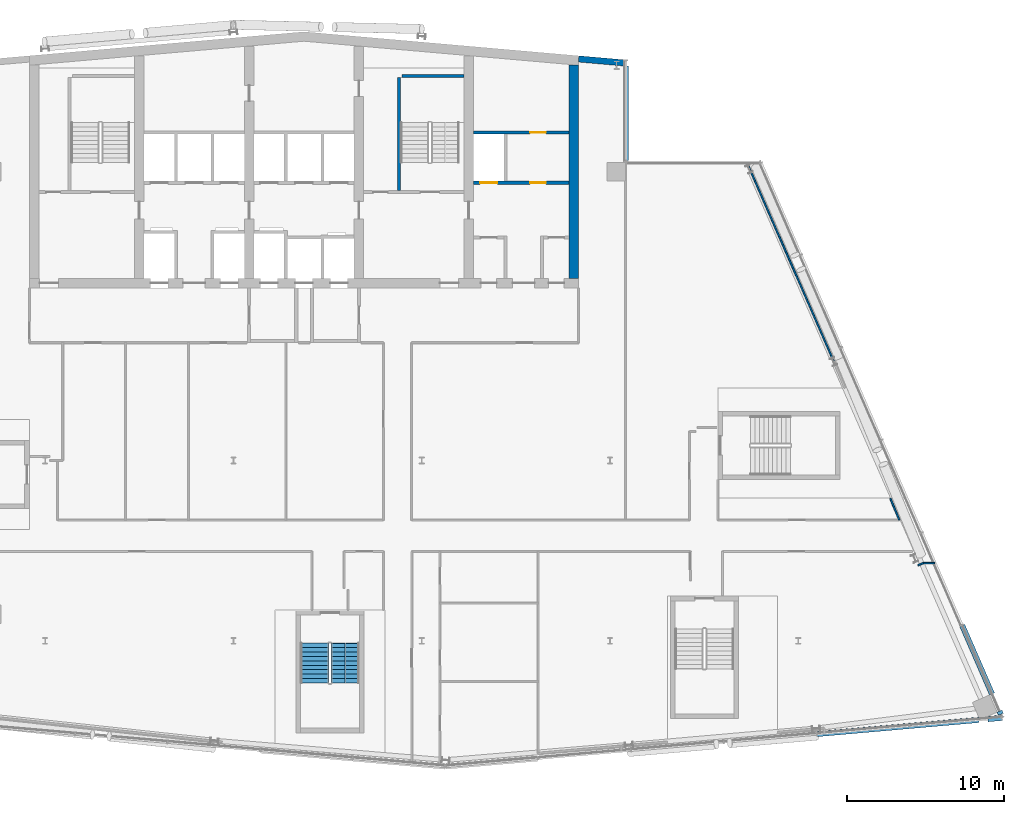
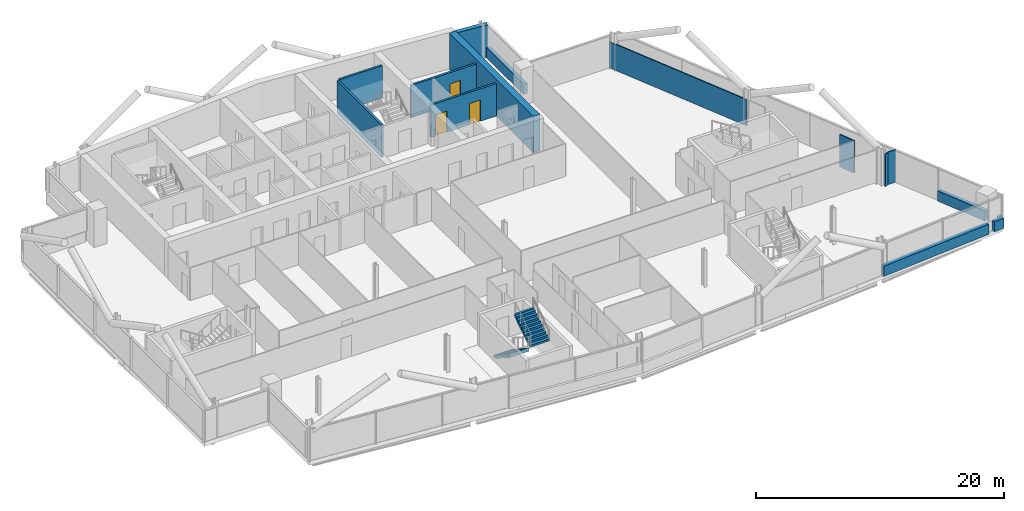
# One storey, part 19 of 27: 15 walls, 3 doors, 2 stair flights, 3 openings, 1 element without a shape of its own.
"""IFC4 building model written with IfcOpenShell, lengths in metres."""

from ifc_helpers import new_model, si_unit, direction, frame, frame_2d, origin, place, context, subcontext, project, spatial, polyline, rectangle, outline, extrude, material, layer, layer_set, type_object, element, fill, aggregate, save


model = new_model("IFC4")

# Units and contexts
model_context = context("Model", 3, precision=1e-05, world=origin(), true_north=direction((0.0, 1.0)))
body_context = subcontext(model_context, "Body", "Model", "MODEL_VIEW")
ifc_project = project(units=[si_unit("LENGTHUNIT", "METRE"), si_unit("AREAUNIT", "SQUARE_METRE"), si_unit("VOLUMEUNIT", "CUBIC_METRE"), si_unit("PLANEANGLEUNIT", "RADIAN"), si_unit("MASSUNIT", "GRAM", prefix="KILO")], contexts=[model_context])

# Site, building, storey
site_placement = place(None, origin())
site = spatial("IfcSite", under=ifc_project, at=site_placement, CompositionType="ELEMENT")
building_placement = place(site_placement, origin())
building = spatial("IfcBuilding", under=site, at=building_placement, Name="Wharfspan Tower", CompositionType="ELEMENT")
storey_placement = place(building_placement, frame((0.0, 0.0, 210.699951)))
storey = spatial("IfcBuildingStorey", under=building, at=storey_placement, Name="L52", CompositionType="ELEMENT", Elevation=210.699951)

# Walls
ifc_material_1 = material(Name="Gypsum board on steel studs", Category="steel")
ifc_layer_1 = layer(ifc_material_1, 0.100098)
ifc_layer_set_1 = layer_set([ifc_layer_1], Name="Gypsum board on steel studs")
wall_type_1 = type_object("IfcWallType", Name="Compartment wall 100 EI 60", PredefinedType="PARTITIONING", material=ifc_layer_set_1)
wall_1_placement = place(storey_placement, frame((78.439941, 19.199951, 0.0), z_axis=(0.0, 0.0, 1.0), x_axis=(-0.382605, 0.923907, 0.0)))
element("IfcWall", 1, at=wall_1_placement, inside=storey, type_object=wall_type_1, Name="Partition L52.w049", PredefinedType="PARTITIONING", context=body_context, shape_type="SweptSolid", body=[
    extrude(rectangle(XDim=1.493896, YDim=0.100098, at=frame_2d((0.74707, 0.0))), origin(), (0.0, 0.0, 1.0), 3.199951),
])
ifc_material_2 = material(Name="Concrete C50/60", Category="concrete")
ifc_layer_2 = layer(ifc_material_2, 0.600098)
ifc_layer_set_2 = layer_set([ifc_layer_2], Name="Concrete C50/60")
wall_type_2 = type_object("IfcWallType", Name="Core wall 600 C50/60", PredefinedType="SHEAR", material=ifc_layer_set_2)
wall_2_placement = place(storey_placement, frame((57.699951, 34.600098, 0.0), z_axis=(0.0, 0.0, 1.0), x_axis=(0.0, 1.0, 0.0)))
element("IfcWall", 2, at=wall_2_placement, inside=storey, type_object=wall_type_2, Name="Core cross wall EW1 L52", PredefinedType="SHEAR", context=body_context, shape_type="SweptSolid", body=[
    extrude(rectangle(XDim=13.584961, YDim=0.600098, at=frame_2d((6.79248, 0.0))), origin(), (0.0, 0.0, 1.0), 3.600098),
])

# Wall, openings, doors
ifc_material_3 = material(Name="Concrete C30/37", Category="concrete")
ifc_layer_3 = layer(ifc_material_3, 0.199951)
ifc_layer_set_3 = layer_set([ifc_layer_3], Name="Concrete C30/37")
wall_type_3 = type_object("IfcWallType", Name="Lift shaft wall 200", PredefinedType="PARTITIONING", material=ifc_layer_set_3)
wall_3_placement = place(storey_placement, frame((51.300049, 40.699951, 0.0), z_axis=(0.0, 0.0, 1.0), x_axis=(1.0, 0.0, 0.0)))
wall_3 = element("IfcWall", 3, at=wall_3_placement, inside=storey, type_object=wall_type_3, Name="sw:L52:RF6", PredefinedType="PARTITIONING", context=body_context, shape_type="SweptSolid", body=[
    extrude(rectangle(XDim=6.099854, YDim=0.199951, at=frame_2d((3.049805, 0.0))), origin(), (0.0, 0.0, 1.0), 3.199951),
])
opening_1_placement = place(wall_3_placement, frame((0.416748, 0.0, 0.0)))
opening_1 = element("IfcOpeningElement", 4, at=opening_1_placement, cuts=wall_3, Name="Opening LD.LB8.L52", PredefinedType="OPENING", context=body_context, shape_type="SweptSolid", body=[
    extrude(rectangle(XDim=1.100098, YDim=2.100098, at=frame_2d((0.550049, 1.050049))), frame((0.0, 0.109863, 0.0), z_axis=(0.0, -1.0, 0.0), x_axis=(1.0, 0.0, 0.0)), (0.0, 0.0, 1.0), 0.219971),
])
opening_2_placement = place(wall_3_placement, frame((3.616699, 0.0, 0.0)))
opening_2 = element("IfcOpeningElement", 5, at=opening_2_placement, cuts=wall_3, Name="Opening CD52.6R2", PredefinedType="OPENING", context=body_context, shape_type="SweptSolid", body=[
    extrude(rectangle(XDim=1.0, YDim=2.100098, at=frame_2d((0.5, 1.050049))), frame((0.0, 0.109863, 0.0), z_axis=(0.0, -1.0, 0.0), x_axis=(1.0, 0.0, 0.0)), (0.0, 0.0, 1.0), 0.219971),
])
ifc_material_4 = material(Name="Steel door leaf", Category="steel")
door_type_1 = type_object("IfcDoorType", Name="Core room door 1000x2100", OperationType="SINGLE_SWING_LEFT", PredefinedType="DOOR", material=ifc_material_4)
door_1_placement = place(opening_2_placement, origin())
door_1 = element("IfcDoor", 6, at=door_1_placement, inside=storey, type_object=door_type_1, Name="d:L52:6:rd6.2", OperationType="SINGLE_SWING_RIGHT", OverallHeight=2.100098, OverallWidth=1.0, PredefinedType="DOOR", context=body_context, shape_type="SweptSolid", body=[
    extrude(rectangle(XDim=1.0, YDim=2.100098, at=frame_2d((0.5, 1.050049))), frame((0.0, 0.024902, 0.0), z_axis=(0.0, -1.0, 0.0), x_axis=(1.0, 0.0, 0.0)), (0.0, 0.0, 1.0), 0.050049),
])
fill(opening_2, door_1)
ifc_material_5 = material(Name="Stainless steel", Category="steel")
door_type_2 = type_object("IfcDoorType", Name="Lift landing door 1100x2100", OperationType="DOUBLE_DOOR_SLIDING", PredefinedType="DOOR", material=ifc_material_5)
door_2_placement = place(opening_1_placement, origin())
door_2 = element("IfcDoor", 7, at=door_2_placement, inside=storey, type_object=door_type_2, Name="Landing door LB8 L52", OperationType="DOUBLE_DOOR_SLIDING", OverallHeight=2.100098, OverallWidth=1.100098, PredefinedType="DOOR", context=body_context, shape_type="SweptSolid", body=[
    extrude(rectangle(XDim=1.100098, YDim=2.100098, at=frame_2d((0.550049, 1.050049))), frame((0.0, 0.024902, 0.0), z_axis=(0.0, -1.0, 0.0), x_axis=(1.0, 0.0, 0.0)), (0.0, 0.0, 1.0), 0.050049),
])
fill(opening_1, door_2)

# Wall, opening, door
wall_4_placement = place(storey_placement, frame((51.300049, 43.899902, 0.0), z_axis=(0.0, 0.0, 1.0), x_axis=(1.0, 0.0, 0.0)))
wall_4 = element("IfcWall", 8, at=wall_4_placement, inside=storey, type_object=wall_type_3, Name="sw:L52:RR6", PredefinedType="PARTITIONING", context=body_context, shape_type="SweptSolid", body=[
    extrude(rectangle(XDim=6.099854, YDim=0.199951, at=frame_2d((3.049805, 0.0))), origin(), (0.0, 0.0, 1.0), 3.199951),
])
opening_3_placement = place(wall_4_placement, frame((3.616699, 0.0, 0.0)))
opening_3 = element("IfcOpeningElement", 9, at=opening_3_placement, cuts=wall_4, Name="Opening CD52.6S2", PredefinedType="OPENING", context=body_context, shape_type="SweptSolid", body=[
    extrude(rectangle(XDim=1.0, YDim=2.100098, at=frame_2d((0.5, 1.050049))), frame((0.0, 0.109863, 0.0), z_axis=(0.0, -1.0, 0.0), x_axis=(1.0, 0.0, 0.0)), (0.0, 0.0, 1.0), 0.219971),
])
door_3_placement = place(opening_3_placement, origin())
door_3 = element("IfcDoor", 10, at=door_3_placement, inside=storey, type_object=door_type_1, Name="d:L52:6:rs6.2", OperationType="SINGLE_SWING_LEFT", OverallHeight=2.100098, OverallWidth=1.0, PredefinedType="DOOR", context=body_context, shape_type="SweptSolid", body=[
    extrude(rectangle(XDim=1.0, YDim=2.100098, at=frame_2d((0.5, 1.050049))), frame((0.0, 0.024902, 0.0), z_axis=(0.0, -1.0, 0.0), x_axis=(1.0, 0.0, 0.0)), (0.0, 0.0, 1.0), 0.050049),
])
fill(opening_3, door_3)

# Walls
ifc_layer_4 = layer(ifc_material_1, 0.100098)
ifc_layer_set_4 = layer_set([ifc_layer_4], Name="Gypsum board on steel studs")
wall_type_4 = type_object("IfcWallType", Name="Partition 100", PredefinedType="PARTITIONING", material=ifc_layer_set_4)
wall_5_placement = place(storey_placement, frame((74.264893, 29.310059, 0.0), z_axis=(0.0, 0.0, 1.0), x_axis=(-0.400401, 0.916335, 0.0)))
element("IfcWall", 11, at=wall_5_placement, inside=storey, type_object=wall_type_4, Name="Partition L52.w047", PredefinedType="PARTITIONING", context=body_context, shape_type="SweptSolid", body=[
    extrude(rectangle(XDim=13.794678, YDim=0.100098, at=frame_2d((6.897461, 0.0))), origin(), (0.0, 0.0, 1.0), 2.580078),
])
wall_6_placement = place(storey_placement, frame((79.629883, 16.314941, 0.0), z_axis=(0.0, 0.0, 1.0), x_axis=(0.92262, 0.385713, 0.0)))
element("IfcWall", 12, at=wall_6_placement, inside=storey, type_object=wall_type_4, Name="Partition L52.w050", PredefinedType="PARTITIONING", context=body_context, shape_type="SweptSolid", body=[
    extrude(rectangle(XDim=0.363281, YDim=0.100098, at=frame_2d((0.181641, 0.0))), origin(), (0.0, 0.0, 1.0), 3.199951),
])
wall_7_placement = place(storey_placement, frame((79.975098, 16.455078, 0.0), z_axis=(0.0, 0.0, 1.0), x_axis=(1.0, 0.0, 0.0)))
element("IfcWall", 13, at=wall_7_placement, inside=storey, type_object=wall_type_4, Name="Partition L52.w051", PredefinedType="PARTITIONING", context=body_context, shape_type="SweptSolid", body=[
    extrude(rectangle(XDim=0.718262, YDim=0.100098, at=frame_2d((0.359131, 0.0))), origin(), (0.0, 0.0, 1.0), 3.199951),
])
ifc_material_6 = material(Name="Concrete C40/50", Category="concrete")
ifc_layer_5 = layer(ifc_material_6, 0.350098)
ifc_layer_set_5 = layer_set([ifc_layer_5], Name="Concrete C40/50")
wall_type_5 = type_object("IfcWallType", Name="SPANDREL EXPOSED CONCRETE 350", PredefinedType="SOLIDWALL", material=ifc_layer_set_5)
wall_8_placement = place(storey_placement, frame((73.197021, 5.562256, 0.0), z_axis=(0.0, 0.0, 1.0), x_axis=(0.996198, 0.087163, 0.0)))
element("IfcWall", 14, at=wall_8_placement, inside=storey, type_object=wall_type_5, Name="Spandrel upstand L52 S2 2", PredefinedType="SOLIDWALL", context=body_context, shape_type="SweptSolid", body=[
    extrude(rectangle(XDim=10.35791, YDim=0.350098, at=frame_2d((5.178955, 0.0))), origin(), (0.0, 0.0, 1.0), 1.0),
])
wall_9_placement = place(storey_placement, frame((84.077637, 6.514404, 0.0), z_axis=(0.0, 0.0, 1.0), x_axis=(0.996213, 0.086971, 0.0)))
element("IfcWall", 15, at=wall_9_placement, inside=storey, type_object=wall_type_5, Name="Spandrel upstand L52 S2 3", PredefinedType="SOLIDWALL", context=body_context, shape_type="SweptSolid", body=[
    extrude(rectangle(XDim=0.92627, YDim=0.350098, at=frame_2d((0.463135, 0.0))), origin(), (0.0, 0.0, 1.0), 1.0),
])
wall_10_placement = place(storey_placement, frame((84.9104, 6.818604, 0.0), z_axis=(0.0, 0.0, 1.0), x_axis=(-0.398359, 0.91723, 0.0)))
element("IfcWall", 16, at=wall_10_placement, inside=storey, type_object=wall_type_5, Name="Spandrel upstand L52 E", PredefinedType="SOLIDWALL", context=body_context, shape_type="SweptSolid", body=[
    extrude(rectangle(XDim=0.21875, YDim=0.350098, at=frame_2d((0.109375, 0.0))), origin(), (0.0, 0.0, 1.0), 1.0),
])
wall_11_placement = place(storey_placement, frame((84.344727, 8.119873, 0.0), z_axis=(0.0, 0.0, 1.0), x_axis=(-0.398736, 0.917067, 0.0)))
element("IfcWall", 17, at=wall_11_placement, inside=storey, type_object=wall_type_5, Name="Spandrel upstand L52 E 2", PredefinedType="SOLIDWALL", context=body_context, shape_type="SweptSolid", body=[
    extrude(rectangle(XDim=4.748291, YDim=0.350098, at=frame_2d((2.374023, 0.0))), origin(), (0.0, 0.0, 1.0), 1.0),
])
wall_12_placement = place(storey_placement, frame((61.004883, 42.120117, 0.0), z_axis=(0.0, 0.0, 1.0), x_axis=(0.0, 1.0, 0.0)))
element("IfcWall", 18, at=wall_12_placement, inside=storey, type_object=wall_type_5, Name="Spandrel upstand L52 NRE-V", PredefinedType="SOLIDWALL", context=body_context, shape_type="SweptSolid", body=[
    extrude(rectangle(XDim=6.006348, YDim=0.350098, at=frame_2d((3.003174, 0.0))), origin(), (0.0, 0.0, 1.0), 1.0),
])
ifc_layer_6 = layer(ifc_material_6, 0.199951)
ifc_layer_set_6 = layer_set([ifc_layer_6], Name="Concrete C40/50")
wall_type_6 = type_object("IfcWallType", Name="Stair shaft wall 200", PredefinedType="SHEAR", material=ifc_layer_set_6)
wall_13_placement = place(storey_placement, frame((46.550049, 40.199951, 0.0), z_axis=(0.0, 0.0, 1.0), x_axis=(0.0, 1.0, 0.0)))
element("IfcWall", 19, at=wall_13_placement, inside=storey, type_object=wall_type_6, Name="ST2 stair enclosure wall L52", PredefinedType="SHEAR", context=body_context, shape_type="SweptSolid", body=[
    extrude(rectangle(XDim=7.199951, YDim=0.199951, at=frame_2d((3.600098, 0.0))), origin(), (0.0, 0.0, 1.0), 3.199951),
])
wall_14_placement = place(storey_placement, frame((46.75, 47.5, 0.0), z_axis=(0.0, 0.0, 1.0), x_axis=(1.0, 0.0, 0.0)))
element("IfcWall", 20, at=wall_14_placement, inside=storey, type_object=wall_type_6, Name="ST2 stair enclosure wall L52", PredefinedType="SHEAR", context=body_context, shape_type="SweptSolid", body=[
    extrude(rectangle(XDim=3.949951, YDim=0.199951, at=frame_2d((1.975098, 0.0))), origin(), (0.0, 0.0, 1.0), 3.199951),
])
ifc_layer_7 = layer(ifc_material_6, 0.399902)
ifc_layer_set_7 = layer_set([ifc_layer_7], Name="Concrete C40/50")
wall_type_7 = type_object("IfcWallType", Name="WALL EXPOSED CONCRETE 400", PredefinedType="SOLIDWALL", material=ifc_layer_set_7)
wall_15_placement = place(storey_placement, frame((60.982666, 48.325684, 0.0), z_axis=(0.0, 0.0, 1.0), x_axis=(-0.996194, 0.087168, 0.0)))
element("IfcWall", 21, at=wall_15_placement, inside=storey, type_object=wall_type_7, Name="Rear wall N2", PredefinedType="SOLIDWALL", context=body_context, shape_type="SweptSolid", body=[
    extrude(rectangle(XDim=2.994141, YDim=0.399902, at=frame_2d((1.49707, 0.0))), origin(), (0.0, 0.0, 1.0), 3.199951),
])

# Stair, stair flights
stair_type = type_object("IfcStairType", Name="Half-turn stair 20 risers 180 mm", PredefinedType="HALF_TURN_STAIR", material=ifc_material_6)
stair_placement = place(storey_placement, origin())
stair = element("IfcStair", 22, at=stair_placement, inside=storey, type_object=stair_type, Name="L52 stair ST4", PredefinedType="HALF_TURN_STAIR")
stair_flight_type = type_object("IfcStairFlightType", Name="Stair flight 20 risers 180 mm", PredefinedType="STRAIGHT", material=ifc_material_6)
stair_flight_1_placement = place(storey_placement, frame((41.177002, 11.343262, 0.0), z_axis=(0.0, 0.0, 1.0), x_axis=(0.0, -1.0, 0.0)))
stair_flight_1 = element("IfcStairFlight", 23, at=stair_flight_1_placement, type_object=stair_flight_type, Name="ST4 flight 1", NumberOfRisers=10, NumberOfTreads=9, PredefinedType="STRAIGHT", RiserHeight=0.18, TreadLength=0.28, context=body_context, shape_type="SweptSolid", body=[
    extrude(outline(polyline([(-0.011963, 0.0), (-0.011963, 0.179932), (0.0, 0.179932), (0.280029, 0.179932), (0.280029, 0.360107), (0.560059, 0.360107), (0.560059, 0.540039), (0.840088, 0.540039), (0.840088, 0.719971), (1.120117, 0.719971), (1.120117, 0.899902), (1.399902, 0.899902), (1.399902, 1.080078), (1.679932, 1.080078), (1.679932, 1.26001), (1.959961, 1.26001), (1.959961, 1.439941), (2.23999, 1.439941), (2.23999, 1.620117), (2.52002, 1.620117), (2.531982, 1.800049), (2.531982, 1.441895), (0.2771, 0.0), (-0.011963, 0.0)])), frame((0.0, 0.899902, 0.0), z_axis=(0.0, -1.0, 0.0), x_axis=(1.0, 0.0, 0.0)), (0.0, 0.0, 1.0), 0.899414),
    extrude(outline(polyline([(-0.011963, 0.0), (-0.011963, 0.179932), (0.0, 0.179932), (0.280029, 0.179932), (0.280029, 0.360107), (0.560059, 0.360107), (0.560059, 0.540039), (0.840088, 0.540039), (0.840088, 0.719971), (1.120117, 0.719971), (1.120117, 0.899902), (1.399902, 0.899902), (1.399902, 1.080078), (1.679932, 1.080078), (1.679932, 1.26001), (1.959961, 1.26001), (1.959961, 1.439941), (2.23999, 1.439941), (2.23999, 1.620117), (2.52002, 1.620117), (2.531982, 1.800049), (2.531982, 1.441895), (0.2771, 0.0), (-0.011963, 0.0)])), frame((0.0, -0.000488, 0.0), z_axis=(0.0, -1.0, 0.0), x_axis=(1.0, 0.0, 0.0)), (0.0, 0.0, 1.0), 0.899414),
])
stair_flight_2_placement = place(storey_placement, frame((43.127197, 8.823242, 1.800049), z_axis=(0.0, 0.0, 1.0), x_axis=(0.0, 1.0, 0.0)))
stair_flight_2 = element("IfcStairFlight", 24, at=stair_flight_2_placement, type_object=stair_flight_type, Name="ST4 flight 2", NumberOfRisers=10, NumberOfTreads=9, PredefinedType="STRAIGHT", RiserHeight=0.18, TreadLength=0.28, context=body_context, shape_type="SweptSolid", body=[
    extrude(outline(polyline([(-0.011963, 0.0), (-0.011963, 0.179932), (0.0, 0.179932), (0.280029, 0.179932), (0.280029, 0.360107), (0.560059, 0.360107), (0.560059, 0.540039), (0.840088, 0.540039), (0.840088, 0.719971), (1.120117, 0.719971), (1.120117, 0.899902), (1.399902, 0.899902), (1.399902, 1.080078), (1.679932, 1.080078), (1.679932, 1.26001), (1.959961, 1.26001), (1.959961, 1.439941), (2.23999, 1.439941), (2.23999, 1.620117), (2.52002, 1.620117), (2.531982, 1.800049), (2.531982, 1.441895), (0.2771, 0.0), (-0.011963, 0.0)])), frame((0.0, 0.899902, 0.0), z_axis=(0.0, -1.0, 0.0), x_axis=(1.0, 0.0, 0.0)), (0.0, 0.0, 1.0), 0.899414),
    extrude(outline(polyline([(-0.011963, 0.0), (-0.011963, 0.179932), (0.0, 0.179932), (0.280029, 0.179932), (0.280029, 0.360107), (0.560059, 0.360107), (0.560059, 0.540039), (0.840088, 0.540039), (0.840088, 0.719971), (1.120117, 0.719971), (1.120117, 0.899902), (1.399902, 0.899902), (1.399902, 1.080078), (1.679932, 1.080078), (1.679932, 1.26001), (1.959961, 1.26001), (1.959961, 1.439941), (2.23999, 1.439941), (2.23999, 1.620117), (2.52002, 1.620117), (2.531982, 1.800049), (2.531982, 1.441895), (0.2771, 0.0), (-0.011963, 0.0)])), frame((0.0, -0.000488, 0.0), z_axis=(0.0, -1.0, 0.0), x_axis=(1.0, 0.0, 0.0)), (0.0, 0.0, 1.0), 0.899414),
])
aggregate(stair, [stair_flight_1, stair_flight_2])

save(model, "model.ifc")
